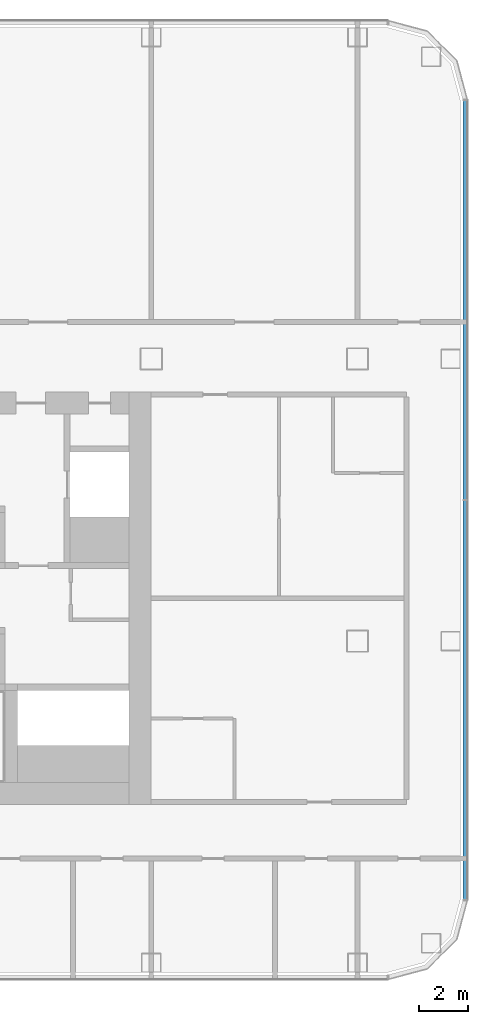
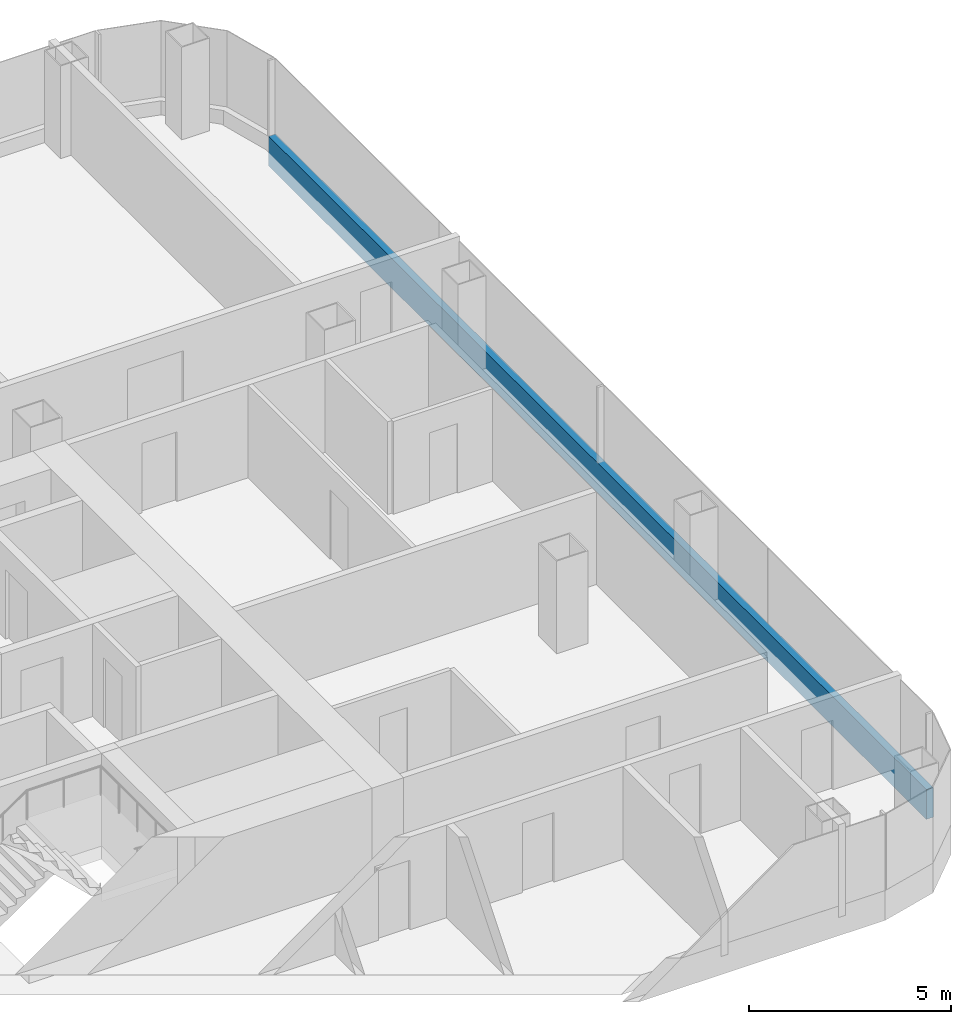
# One storey, part 12 of 29: 1 member, 1 element without a shape of its own.
"""IFC4 building model written with IfcOpenShell, lengths in metres."""

from ifc_helpers import new_model, si_unit, direction, frame, origin, origin_2d, place, context, subcontext, project, spatial, rectangle, extrude, material, layer, layer_set, material_profile, profile_set, type_object, element, aggregate, save


model = new_model("IFC4")

# Units and contexts
model_context = context("Model", 3, precision=1e-05, world=origin(), true_north=direction((0.0, 1.0)))
body_context = subcontext(model_context, "Body", "Model", "MODEL_VIEW")
ifc_project = project(units=[si_unit("LENGTHUNIT", "METRE"), si_unit("AREAUNIT", "SQUARE_METRE"), si_unit("VOLUMEUNIT", "CUBIC_METRE"), si_unit("PLANEANGLEUNIT", "RADIAN"), si_unit("MASSUNIT", "GRAM", prefix="KILO")], contexts=[model_context])

# Site, building, storey
site_placement = place(None, origin())
site = spatial("IfcSite", under=ifc_project, at=site_placement, CompositionType="ELEMENT")
building_placement = place(site_placement, origin())
building = spatial("IfcBuilding", under=site, at=building_placement, Name="Hakoniwa Tower and Hamabe Station Hall", CompositionType="ELEMENT")
storey_placement = place(building_placement, frame((0.0, 0.0, 110.60009765625)))
storey = spatial("IfcBuildingStorey", under=building, at=storey_placement, Name="L31", CompositionType="ELEMENT", Elevation=110.60009765625)

# Curtain wall, member
ifc_material_1 = material(Name="Dark low-e laminated glass", Category="glass")
ifc_layer = layer(ifc_material_1, 0.199951171875)
ifc_layer_set = layer_set([ifc_layer], Name="CW-1 UNITISED GUEST")
curtain_wall_type = type_object("IfcCurtainWallType", Name="CW-1 UNITISED GUEST", PredefinedType="NOTDEFINED", material=ifc_layer_set)
curtain_wall_placement = place(storey_placement, origin())
curtain_wall = element("IfcCurtainWall", 1, at=curtain_wall_placement, inside=storey, type_object=curtain_wall_type, Name="CW-1 curtain wall", PredefinedType="NOTDEFINED")
ifc_material_2 = material(Name="Aluminium 6063-T5 black anodised", Category="aluminium")
ifc_material_profile = material_profile(ifc_material_2, rectangle(XDim=0.199951171875, YDim=0.89990234375, at=origin_2d()), Name="CW SLAB-EDGE BAND 900X200")
ifc_profile_set = profile_set([ifc_material_profile], Name="Aluminium 6063-T5 black anodised")
member_type = type_object("IfcMemberType", Name="CW SLAB-EDGE BAND 900X200", PredefinedType="USERDEFINED", material=ifc_profile_set)
member_placement = place(storey_placement, frame((46.39990234375, -12.28955078125, -0.10009765625), z_axis=(0.0, 1.0, 0.0), x_axis=(-1.0, 0.0, 0.0)))
member = element("IfcMember", 2, at=member_placement, type_object=member_type, Name="CW-1 transom", ObjectType="TRANSOM", PredefinedType="USERDEFINED", context=body_context, shape_type="SweptSolid", body=[
    extrude(rectangle(XDim=0.199951171875, YDim=0.89990234375, at=origin_2d()), origin(), (0.0, 0.0, 1.0), 32.5791015625),
])
aggregate(curtain_wall, [member])

save(model, "model.ifc")
